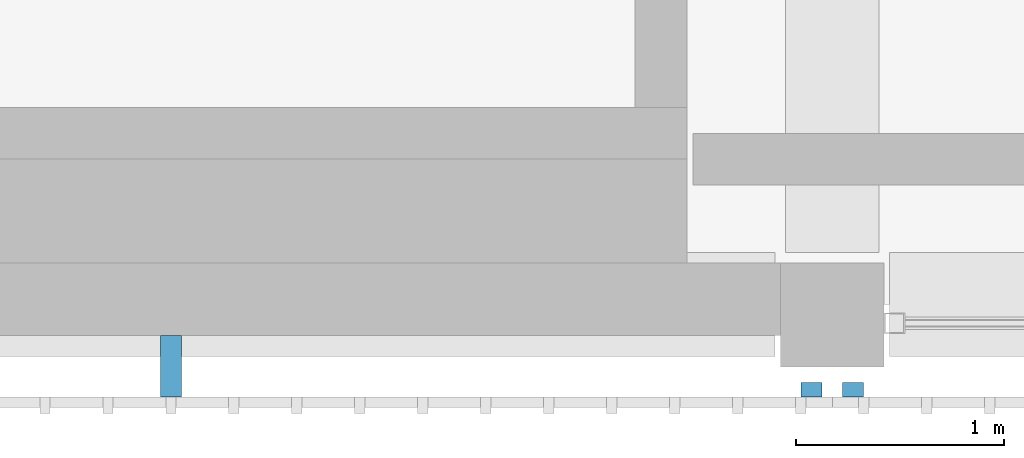
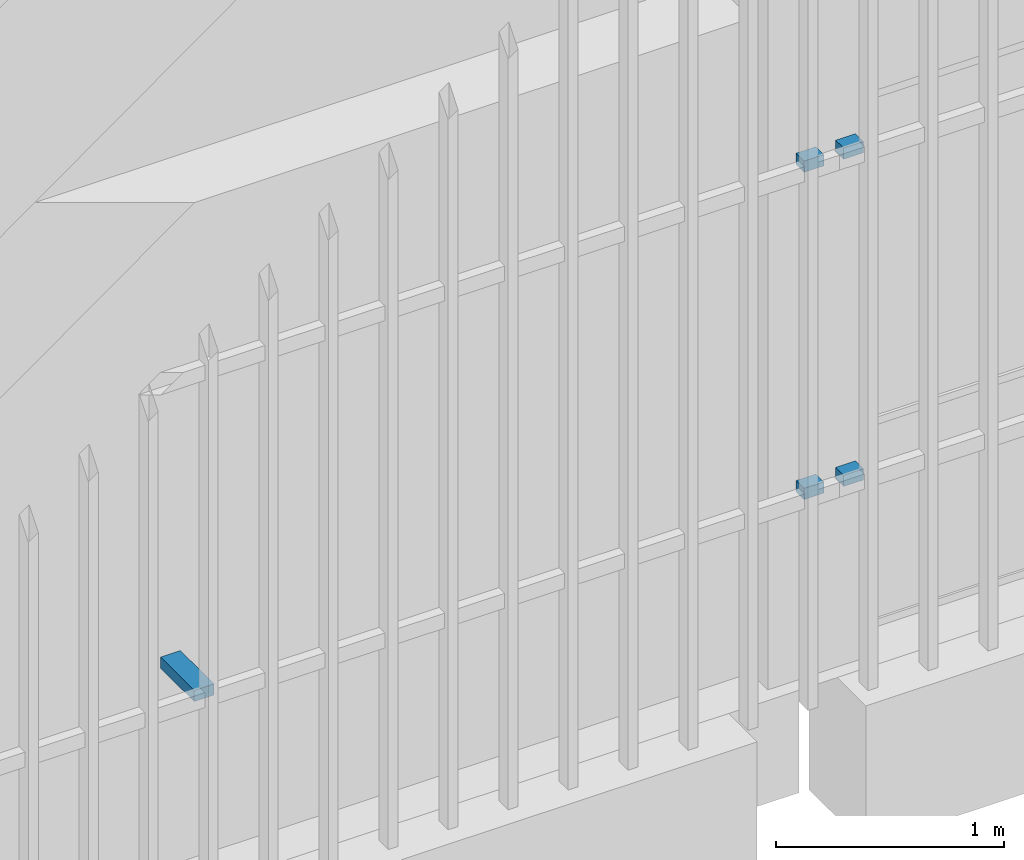
# One storey, part 78 of 104: 5 discrete accessories.
"""IFC4 building model written with IfcOpenShell, lengths in metres."""

from ifc_helpers import new_model, si_unit, direction, frame, origin, origin_2d, place, context, subcontext, project, spatial, rectangle, extrude, material, type_object, element, save


model = new_model("IFC4")

# Units and contexts
model_context = context("Model", 3, precision=1e-05, world=origin(), true_north=direction((0.0, 1.0)))
body_context = subcontext(model_context, "Body", "Model", "MODEL_VIEW")
ifc_project = project(units=[si_unit("LENGTHUNIT", "METRE"), si_unit("AREAUNIT", "SQUARE_METRE"), si_unit("VOLUMEUNIT", "CUBIC_METRE"), si_unit("PLANEANGLEUNIT", "RADIAN"), si_unit("MASSUNIT", "GRAM", prefix="KILO")], contexts=[model_context])

# Site, building, storey
site_placement = place(None, origin())
site = spatial("IfcSite", under=ifc_project, at=site_placement, CompositionType="ELEMENT")
building_placement = place(site_placement, origin())
building = spatial("IfcBuilding", under=site, at=building_placement, Name="Shirokan Park Arena", CompositionType="ELEMENT")
storey_placement = place(building_placement, frame((0.0, 0.0, 10.919921875)))
storey = spatial("IfcBuildingStorey", under=building, at=storey_placement, Name="L02", CompositionType="ELEMENT", Elevation=10.919921875)

# Discrete accessories
ifc_material = material(Name="Steel S355", Category="steel")
discrete_accessory_type = type_object("IfcDiscreteAccessoryType", Name="Veil bracket 100x60", PredefinedType="BRACKET", material=ifc_material)
for number, where, z_axis, x_axis, name in (
    (1, (127.300048828125, -0.409912109375, 1.070068359375), (0.0, 0.0, 1.0), (1.0, 0.0, 0.0), "Veil bracket south bay 14 L02 2"),
    (2, (127.300048828125, -0.409912109375, 2.820068359375), (0.0, 0.0, 1.0), (1.0, 0.0, 0.0), "Veil bracket south bay 14 L02 4"),
):
    element("IfcDiscreteAccessory", number, at=place(storey_placement, frame(where, z_axis=z_axis, x_axis=x_axis)), inside=storey, type_object=discrete_accessory_type, Name=name, PredefinedType="BRACKET", context=body_context, shape_type="SweptSolid", body=[
        extrude(rectangle(XDim=0.10009765625, YDim=0.070068359375, at=origin_2d()), origin(), (0.0, 0.0, 1.0), 0.06005859375),
    ])
discrete_accessory_placement = place(storey_placement, frame((124.215087890625, -0.297607421875, 1.070068359375), z_axis=(0.0, 0.0, 1.0), x_axis=(1.0, 0.0, 0.0)))
element("IfcDiscreteAccessory", 3, at=discrete_accessory_placement, inside=storey, type_object=discrete_accessory_type, Name="Veil bracket south bay 14 L02 wall 2", PredefinedType="BRACKET", context=body_context, shape_type="SweptSolid", body=[
    extrude(rectangle(XDim=0.10009765625, YDim=0.294921875, at=origin_2d()), origin(), (0.0, 0.0, 1.0), 0.06005859375),
])
for number, where, z_axis, x_axis, name in (
    (4, (127.5, -0.409912109375, 1.070068359375), (0.0, 0.0, 1.0), (1.0, 0.0, 0.0), "Veil bracket south bay 15 L02 1"),
    (5, (127.5, -0.409912109375, 2.820068359375), (0.0, 0.0, 1.0), (1.0, 0.0, 0.0), "Veil bracket south bay 15 L02 3"),
):
    element("IfcDiscreteAccessory", number, at=place(storey_placement, frame(where, z_axis=z_axis, x_axis=x_axis)), inside=storey, type_object=discrete_accessory_type, Name=name, PredefinedType="BRACKET", context=body_context, shape_type="SweptSolid", body=[
        extrude(rectangle(XDim=0.10009765625, YDim=0.070068359375, at=origin_2d()), origin(), (0.0, 0.0, 1.0), 0.06005859375),
    ])

save(model, "model.ifc")
